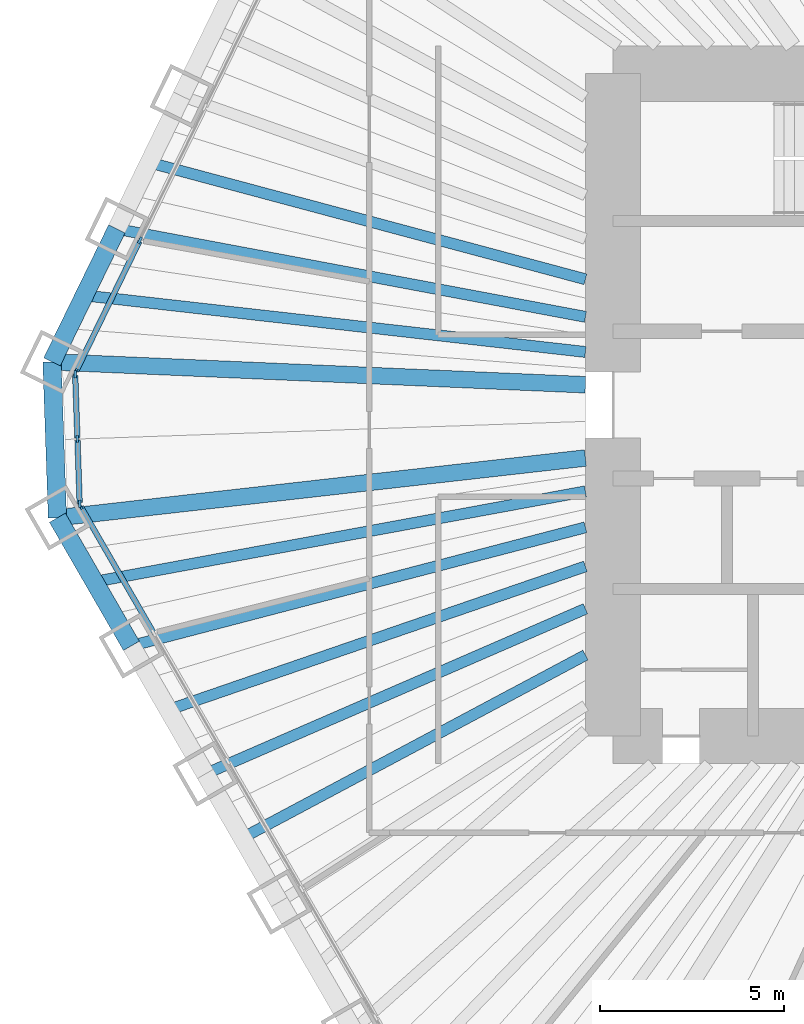
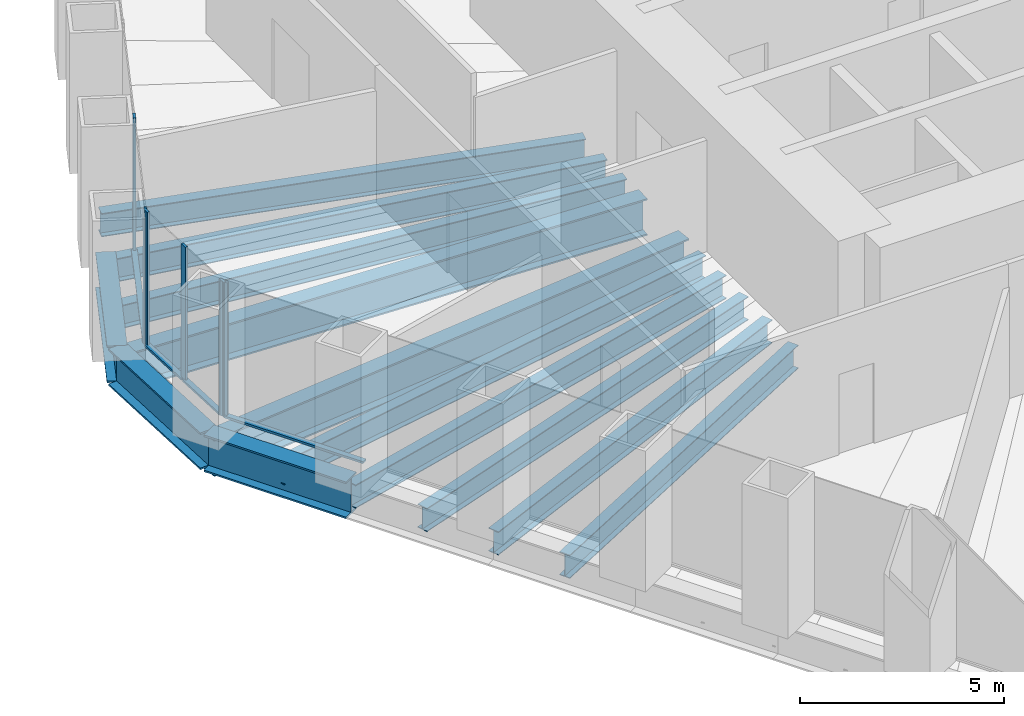
# One storey, part 3 of 13: 13 beams, 10 members, 3 elements without a shape of their own.
"""IFC4 building model written with IfcOpenShell, lengths in metres."""

from ifc_helpers import new_model, si_unit, direction, frame, origin, origin_2d, place, context, subcontext, project, spatial, rectangle, i_section, extrude, material, material_profile, profile_set, type_object, element, aggregate, save


model = new_model("IFC4")

# Units and contexts
model_context = context("Model", 3, precision=1e-05, world=origin(), true_north=direction((0.0, 1.0)))
body_context = subcontext(model_context, "Body", "Model", "MODEL_VIEW")
ifc_project = project(units=[si_unit("LENGTHUNIT", "METRE"), si_unit("AREAUNIT", "SQUARE_METRE"), si_unit("VOLUMEUNIT", "CUBIC_METRE"), si_unit("PLANEANGLEUNIT", "RADIAN"), si_unit("MASSUNIT", "GRAM", prefix="KILO")], contexts=[model_context])

# Site, building, storey
site_placement = place(None, origin())
site = spatial("IfcSite", under=ifc_project, at=site_placement, CompositionType="ELEMENT")
building_placement = place(site_placement, origin())
building = spatial("IfcBuilding", under=site, at=building_placement, Name="Qingtian Harvest Tower", CompositionType="ELEMENT")
storey_placement = place(building_placement, frame((0.0, 0.0, 157.60009765625)))
storey = spatial("IfcBuildingStorey", under=building, at=storey_placement, Name="L33", CompositionType="ELEMENT", Elevation=157.60009765625)

# Beams
ifc_material_1 = material(Name="Steel SM570MC", Category="steel")
ifc_material_profile_1 = material_profile(ifc_material_1, i_section(OverallWidth=0.449951171875, OverallDepth=1.10009765625, WebThickness=0.02197265625, FlangeThickness=0.044921875, at=origin_2d()), Name="H1100x450x22x45")
ifc_profile_set_1 = profile_set([ifc_material_profile_1], Name="Steel SM570MC")
beam_type_1 = type_object("IfcBeamType", Name="Corner floor beam FB8 H1100x450x22x45", PredefinedType="BEAM", material=ifc_profile_set_1)
beam_1_placement = place(storey_placement, frame((-27.096923828125, -3.066650390625, -0.72021484375), z_axis=(0.993656070393, 0.112461610213, 0.0), x_axis=(-0.112461610213, 0.993656070393, 0.0)))
element("IfcBeam", 1, at=beam_1_placement, inside=storey, type_object=beam_type_1, Name="Floor beam FB8 SW6", PredefinedType="BEAM", context=body_context, shape_type="SweptSolid", body=[
    extrude(i_section(OverallWidth=0.449951171875, OverallDepth=1.10009765625, WebThickness=0.02197265625, FlangeThickness=0.044921875, at=origin_2d()), origin(), (0.0, 0.0, 1.0), 14.4384765625),
])
beam_2_placement = place(storey_placement, frame((-27.244873046875, 1.1689453125, -0.72021484375), z_axis=(0.999081074678, -0.042860310542, 0.0), x_axis=(0.042860310542, 0.999081074678, 0.0)))
element("IfcBeam", 2, at=beam_2_placement, inside=storey, type_object=beam_type_1, Name="Floor beam FB8 NW0", PredefinedType="BEAM", context=body_context, shape_type="SweptSolid", body=[
    extrude(i_section(OverallWidth=0.449951171875, OverallDepth=1.10009765625, WebThickness=0.02197265625, FlangeThickness=0.044921875, at=origin_2d()), origin(), (0.0, 0.0, 1.0), 14.50830078125),
])
ifc_material_2 = material(Name="Steel SN490B", Category="steel")
ifc_material_profile_2 = material_profile(ifc_material_2, i_section(OverallWidth=0.300048828125, OverallDepth=0.699951171875, WebThickness=0.012939453125, FlangeThickness=0.02392578125, at=origin_2d()), Name="H700x300x13x24")
ifc_profile_set_2 = profile_set([ifc_material_profile_2], Name="Steel SN490B")
beam_type_2 = type_object("IfcBeamType", Name="Floor beam FB2 H700x300x13x24", PredefinedType="BEAM", material=ifc_profile_set_2)
beam_3_placement = place(storey_placement, frame((-23.077880859375, -10.02783203125, -0.52001953125), z_axis=(0.917154138631, 0.398532666154, 0.0), x_axis=(-0.398532666154, 0.917154138631, 0.0)))
element("IfcBeam", 3, at=beam_3_placement, inside=storey, type_object=beam_type_2, Name="Floor beam FB2 SW4", PredefinedType="BEAM", context=body_context, shape_type="SweptSolid", body=[
    extrude(i_section(OverallWidth=0.300048828125, OverallDepth=0.699951171875, WebThickness=0.012939453125, FlangeThickness=0.02392578125, at=origin_2d()), origin(), (0.0, 0.0, 1.0), 11.2607421875),
])
beam_4_placement = place(storey_placement, frame((-25.08740234375, -6.547119140625, -0.52001953125), z_axis=(0.967592867696, 0.252515429991, 0.0), x_axis=(-0.252515429991, 0.967592867696, 0.0)))
element("IfcBeam", 4, at=beam_4_placement, inside=storey, type_object=beam_type_2, Name="Floor beam FB2 SW5", PredefinedType="BEAM", context=body_context, shape_type="SweptSolid", body=[
    extrude(i_section(OverallWidth=0.300048828125, OverallDepth=0.699951171875, WebThickness=0.012939453125, FlangeThickness=0.02392578125, at=origin_2d()), origin(), (0.0, 0.0, 1.0), 12.750732421875),
])
beam_5_placement = place(storey_placement, frame((-25.483154296875, 4.78125, -0.52001953125), z_axis=(0.982851913913, -0.184396625015, 0.0), x_axis=(0.184396625015, 0.982851913913, 0.0)))
element("IfcBeam", 5, at=beam_5_placement, inside=storey, type_object=beam_type_2, Name="Floor beam FB2 NW1", PredefinedType="BEAM", context=body_context, shape_type="SweptSolid", body=[
    extrude(i_section(OverallWidth=0.300048828125, OverallDepth=0.699951171875, WebThickness=0.012939453125, FlangeThickness=0.02392578125, at=origin_2d()), origin(), (0.0, 0.0, 1.0), 12.955322265625),
])
ifc_material_3 = material(Name="Steel SN490B", Category="steel")
ifc_material_profile_3 = material_profile(ifc_material_3, i_section(OverallWidth=0.300048828125, OverallDepth=0.699951171875, WebThickness=0.012939453125, FlangeThickness=0.02392578125, at=origin_2d()), Name="H700x300x13x24")
ifc_profile_set_3 = profile_set([ifc_material_profile_3], Name="Steel SN490B")
beam_type_3 = type_object("IfcBeamType", Name="Floor joist J2 H700x300x13x24", PredefinedType="JOIST", material=ifc_profile_set_3)
beam_6_placement = place(storey_placement, frame((-22.0732421875, -11.76806640625, -0.52001953125), z_axis=(0.882429048443, 0.47044550637, 0.0), x_axis=(-0.47044550637, 0.882429048443, 0.0)))
element("IfcBeam", 6, at=beam_6_placement, inside=storey, type_object=beam_type_3, Name="Floor joist J2 SW3", PredefinedType="JOIST", context=body_context, shape_type="SweptSolid", body=[
    extrude(i_section(OverallWidth=0.300048828125, OverallDepth=0.699951171875, WebThickness=0.012939453125, FlangeThickness=0.02392578125, at=origin_2d()), origin(), (0.0, 0.0, 1.0), 10.5654296875),
])
beam_7_placement = place(storey_placement, frame((-24.082763671875, -8.28759765625, -0.52001953125), z_axis=(0.945577150072, 0.325397992099, 0.0), x_axis=(-0.325397992099, 0.945577150072, 0.0)))
element("IfcBeam", 7, at=beam_7_placement, inside=storey, type_object=beam_type_3, Name="Floor joist J2 SW4", PredefinedType="JOIST", context=body_context, shape_type="SweptSolid", body=[
    extrude(i_section(OverallWidth=0.300048828125, OverallDepth=0.699951171875, WebThickness=0.012939453125, FlangeThickness=0.02392578125, at=origin_2d()), origin(), (0.0, 0.0, 1.0), 11.985107421875),
])
beam_8_placement = place(storey_placement, frame((-26.09228515625, -4.806884765625, -0.52001953125), z_axis=(0.983450319804, 0.181178002192, 0.0), x_axis=(-0.181178002192, 0.983450319804, 0.0)))
element("IfcBeam", 8, at=beam_8_placement, inside=storey, type_object=beam_type_3, Name="Floor joist J2 SW5", PredefinedType="JOIST", context=body_context, shape_type="SweptSolid", body=[
    extrude(i_section(OverallWidth=0.300048828125, OverallDepth=0.699951171875, WebThickness=0.012939453125, FlangeThickness=0.02392578125, at=origin_2d()), origin(), (0.0, 0.0, 1.0), 13.56689453125),
])
beam_9_placement = place(storey_placement, frame((-26.364013671875, 2.97509765625, -0.52001953125), z_axis=(0.993692330348, -0.112140771387, 0.0), x_axis=(0.112140771387, 0.993692330348, 0.0)))
element("IfcBeam", 9, at=beam_9_placement, inside=storey, type_object=beam_type_3, Name="Floor joist J2 NW0", PredefinedType="JOIST", context=body_context, shape_type="SweptSolid", body=[
    extrude(i_section(OverallWidth=0.300048828125, OverallDepth=0.699951171875, WebThickness=0.012939453125, FlangeThickness=0.02392578125, at=origin_2d()), origin(), (0.0, 0.0, 1.0), 13.700439453125),
])
beam_10_placement = place(storey_placement, frame((-24.60205078125, 6.58740234375, -0.52001953125), z_axis=(0.965969893862, -0.258654526641, 0.0), x_axis=(0.258654526641, 0.965969893862, 0.0)))
element("IfcBeam", 10, at=beam_10_placement, inside=storey, type_object=beam_type_3, Name="Floor joist J2 NW1", PredefinedType="JOIST", context=body_context, shape_type="SweptSolid", body=[
    extrude(i_section(OverallWidth=0.300048828125, OverallDepth=0.699951171875, WebThickness=0.012939453125, FlangeThickness=0.02392578125, at=origin_2d()), origin(), (0.0, 0.0, 1.0), 12.26953125),
])

# Curtain wall, member
ifc_material_4 = material(Name="Bronze-anodised aluminium curtain wall", Category="aluminium")
curtain_wall_type = type_object("IfcCurtainWallType", Name="Curtain wall CW4 office", PredefinedType="USERDEFINED", material=ifc_material_4)
curtain_wall_1_placement = place(storey_placement, origin())
curtain_wall_1 = element("IfcCurtainWall", 11, at=curtain_wall_1_placement, inside=storey, type_object=curtain_wall_type, Name="Curtain wall CW4 L33 SW0-5", ObjectType="RECESSED CURTAIN WALL", PredefinedType="USERDEFINED")
ifc_material_5 = material(Name="Bronze-anodised aluminium mullion", Category="aluminium")
ifc_material_profile_4 = material_profile(ifc_material_5, rectangle(XDim=0.06494140625, YDim=0.199951171875, at=origin_2d()), Name="AL 65x200")
ifc_profile_set_4 = profile_set([ifc_material_profile_4], Name="Bronze-anodised aluminium mullion")
member_type_1 = type_object("IfcMemberType", Name="Mullion CWM 65x200", PredefinedType="MULLION", material=ifc_profile_set_4)
member_1_placement = place(storey_placement, frame((-26.474609375, -2.744873046875, 0.0), z_axis=(0.0, 0.0, 1.0), x_axis=(-0.866025403784, -0.5, 0.0)))
member_1 = element("IfcMember", 12, at=member_1_placement, type_object=member_type_1, Name="CW4 mullion 7", PredefinedType="MULLION", context=body_context, shape_type="SweptSolid", body=[
    extrude(rectangle(XDim=0.06494140625, YDim=0.199951171875, at=origin_2d()), origin(), (0.0, 0.0, 1.0), 4.02978515625),
])

# Curtain wall, members
curtain_wall_2_placement = place(storey_placement, origin())
curtain_wall_2 = element("IfcCurtainWall", 13, at=curtain_wall_2_placement, inside=storey, type_object=curtain_wall_type, Name="Curtain wall CW4 L33 SWC", ObjectType="RECESSED CURTAIN WALL", PredefinedType="USERDEFINED")
member_2_placement = place(storey_placement, frame((-26.491943359375, -2.68408203125, 0.0), z_axis=(0.0, 0.0, 1.0), x_axis=(-0.999390827019, -0.034899496703, 0.0)))
member_2 = element("IfcMember", 14, at=member_2_placement, type_object=member_type_1, Name="CW4 mullion 1", PredefinedType="MULLION", context=body_context, shape_type="SweptSolid", body=[
    extrude(rectangle(XDim=0.06494140625, YDim=0.199951171875, at=origin_2d()), origin(), (0.0, 0.0, 1.0), 4.02978515625),
])
member_3_placement = place(storey_placement, frame((-26.55322265625, -0.92724609375, 0.0), z_axis=(0.0, 0.0, 1.0), x_axis=(-0.999390827019, -0.034899496703, 0.0)))
member_3 = element("IfcMember", 15, at=member_3_placement, type_object=member_type_1, Name="CW4 mullion 2", PredefinedType="MULLION", context=body_context, shape_type="SweptSolid", body=[
    extrude(rectangle(XDim=0.06494140625, YDim=0.199951171875, at=origin_2d()), origin(), (0.0, 0.0, 1.0), 4.02978515625),
])
member_4_placement = place(storey_placement, frame((-26.614501953125, 0.82958984375, 0.0), z_axis=(0.0, 0.0, 1.0), x_axis=(-0.999390827019, -0.034899496703, 0.0)))
member_4 = element("IfcMember", 16, at=member_4_placement, type_object=member_type_1, Name="CW4 mullion 3", PredefinedType="MULLION", context=body_context, shape_type="SweptSolid", body=[
    extrude(rectangle(XDim=0.06494140625, YDim=0.199951171875, at=origin_2d()), origin(), (0.0, 0.0, 1.0), 4.02978515625),
])

curtain_wall_3_placement = place(storey_placement, origin())
curtain_wall_3 = element("IfcCurtainWall", 17, at=curtain_wall_3_placement, inside=storey, type_object=curtain_wall_type, Name="Curtain wall CW4 L33 NW0-5", ObjectType="RECESSED CURTAIN WALL", PredefinedType="USERDEFINED")
member_5_placement = place(storey_placement, frame((-26.6015625, 0.891357421875, 0.0), z_axis=(0.0, 0.0, 1.0), x_axis=(-0.898794046299, 0.438371146789, 0.0)))
member_5 = element("IfcMember", 18, at=member_5_placement, type_object=member_type_1, Name="CW4 mullion 1", PredefinedType="MULLION", context=body_context, shape_type="SweptSolid", body=[
    extrude(rectangle(XDim=0.06494140625, YDim=0.199951171875, at=origin_2d()), origin(), (0.0, 0.0, 1.0), 4.02978515625),
])
member_6_placement = place(storey_placement, frame((-24.85400390625, 4.474365234375, 0.0), z_axis=(0.0, 0.0, 1.0), x_axis=(-0.898794046299, 0.438371146789, 0.0)))
member_6 = element("IfcMember", 19, at=member_6_placement, type_object=member_type_1, Name="CW4 mullion 2", PredefinedType="MULLION", context=body_context, shape_type="SweptSolid", body=[
    extrude(rectangle(XDim=0.06494140625, YDim=0.199951171875, at=origin_2d()), origin(), (0.0, 0.0, 1.0), 4.02978515625),
])

# Beams
ifc_material_6 = material(Name="Steel SM570MC", Category="steel")
ifc_material_profile_5 = material_profile(ifc_material_6, i_section(OverallWidth=0.5, OverallDepth=1.10009765625, WebThickness=0.02490234375, FlangeThickness=0.050048828125, at=origin_2d()), Name="H1100x500x25x50")
ifc_profile_set_5 = profile_set([ifc_material_profile_5], Name="Steel SM570MC")
beam_type_4 = type_object("IfcBeamType", Name="Spandrel beam SB2 H1100x500x25x50", PredefinedType="SPANDREL", material=ifc_profile_set_5)
beam_11_placement = place(storey_placement, frame((-25.08740234375, -6.547119140625, -0.550048828125), z_axis=(-0.500013420409, 0.866017655369, 0.0), x_axis=(-0.866017655369, -0.500013420409, 0.0)))
element("IfcBeam", 20, at=beam_11_placement, inside=storey, type_object=beam_type_4, Name="Spandrel SB2 SW5", PredefinedType="SPANDREL", context=body_context, shape_type="SweptSolid", body=[
    extrude(i_section(OverallWidth=0.5, OverallDepth=1.10009765625, WebThickness=0.02490234375, FlangeThickness=0.050048828125, at=origin_2d()), origin(), (0.0, 0.0, 1.0), 4.01904296875),
])
beam_12_placement = place(storey_placement, frame((-27.096923828125, -3.066650390625, -0.550048828125), z_axis=(-0.034908677553, 0.999390506375, 0.0), x_axis=(-0.999390506375, -0.034908677553, 0.0)))
element("IfcBeam", 21, at=beam_12_placement, inside=storey, type_object=beam_type_4, Name="Spandrel SB2 SWC", PredefinedType="SPANDREL", context=body_context, shape_type="SweptSolid", body=[
    extrude(i_section(OverallWidth=0.5, OverallDepth=1.10009765625, WebThickness=0.02490234375, FlangeThickness=0.050048828125, at=origin_2d()), origin(), (0.0, 0.0, 1.0), 4.23828125),
])
beam_13_placement = place(storey_placement, frame((-27.244873046875, 1.1689453125, -0.550048828125), z_axis=(0.438347033158, 0.898805806902, 0.0), x_axis=(-0.898805806902, 0.438347033158, 0.0)))
element("IfcBeam", 22, at=beam_13_placement, inside=storey, type_object=beam_type_4, Name="Spandrel SB2 NW0", PredefinedType="SPANDREL", context=body_context, shape_type="SweptSolid", body=[
    extrude(i_section(OverallWidth=0.5, OverallDepth=1.10009765625, WebThickness=0.02490234375, FlangeThickness=0.050048828125, at=origin_2d()), origin(), (0.0, 0.0, 1.0), 4.01904296875),
])

# Member
ifc_material_7 = material(Name="Bronze-anodised aluminium transom", Category="aluminium")
ifc_material_profile_6 = material_profile(ifc_material_7, rectangle(XDim=0.14990234375, YDim=0.06494140625, at=origin_2d()), Name="AL 65x150")
ifc_profile_set_6 = profile_set([ifc_material_profile_6], Name="Bronze-anodised aluminium transom")
member_type_2 = type_object("IfcMemberType", Name="Transom CWT 65x150", PredefinedType="USERDEFINED", material=ifc_profile_set_6)
member_7_placement = place(storey_placement, frame((-24.49755859375, -6.169189453125, 0.032470703125), z_axis=(-0.499975738995, 0.866039410429, 0.0), x_axis=(-0.866039410429, -0.499975738995, 0.0)))
member_7 = element("IfcMember", 23, at=member_7_placement, type_object=member_type_2, Name="CW4 transom 6.1", ObjectType="TRANSOM", PredefinedType="USERDEFINED", context=body_context, shape_type="SweptSolid", body=[
    extrude(rectangle(XDim=0.14990234375, YDim=0.06494140625, at=origin_2d()), origin(), (0.0, 0.0, 1.0), 3.921630859375),
])

aggregate(curtain_wall_1, [member_1, member_7])

member_8_placement = place(storey_placement, frame((-26.4931640625, -2.651611328125, 0.032470703125), z_axis=(-0.034899362377, 0.99939083171, 0.0), x_axis=(-0.99939083171, -0.034899362377, 0.0)))
member_8 = element("IfcMember", 24, at=member_8_placement, type_object=member_type_2, Name="CW4 transom 1.1", ObjectType="TRANSOM", PredefinedType="USERDEFINED", context=body_context, shape_type="SweptSolid", body=[
    extrude(rectangle(XDim=0.14990234375, YDim=0.06494140625, at=origin_2d()), origin(), (0.0, 0.0, 1.0), 1.69287109375),
])

member_9_placement = place(storey_placement, frame((-26.554443359375, -0.894775390625, 0.032470703125), z_axis=(-0.034899362377, 0.99939083171, 0.0), x_axis=(-0.99939083171, -0.034899362377, 0.0)))
member_9 = element("IfcMember", 25, at=member_9_placement, type_object=member_type_2, Name="CW4 transom 2.1", ObjectType="TRANSOM", PredefinedType="USERDEFINED", context=body_context, shape_type="SweptSolid", body=[
    extrude(rectangle(XDim=0.14990234375, YDim=0.06494140625, at=origin_2d()), origin(), (0.0, 0.0, 1.0), 1.69287109375),
])

aggregate(curtain_wall_2, [member_2, member_3, member_4, member_8, member_9])

member_10_placement = place(storey_placement, frame((-26.587158203125, 0.92041015625, 0.032470703125), z_axis=(0.438326734225, 0.898815706396, 0.0), x_axis=(-0.898815706396, 0.438326734225, 0.0)))
member_10 = element("IfcMember", 26, at=member_10_placement, type_object=member_type_2, Name="CW4 transom 1.1", ObjectType="TRANSOM", PredefinedType="USERDEFINED", context=body_context, shape_type="SweptSolid", body=[
    extrude(rectangle(XDim=0.14990234375, YDim=0.06494140625, at=origin_2d()), origin(), (0.0, 0.0, 1.0), 3.921630859375),
])

aggregate(curtain_wall_3, [member_5, member_6, member_10])

save(model, "model.ifc")
